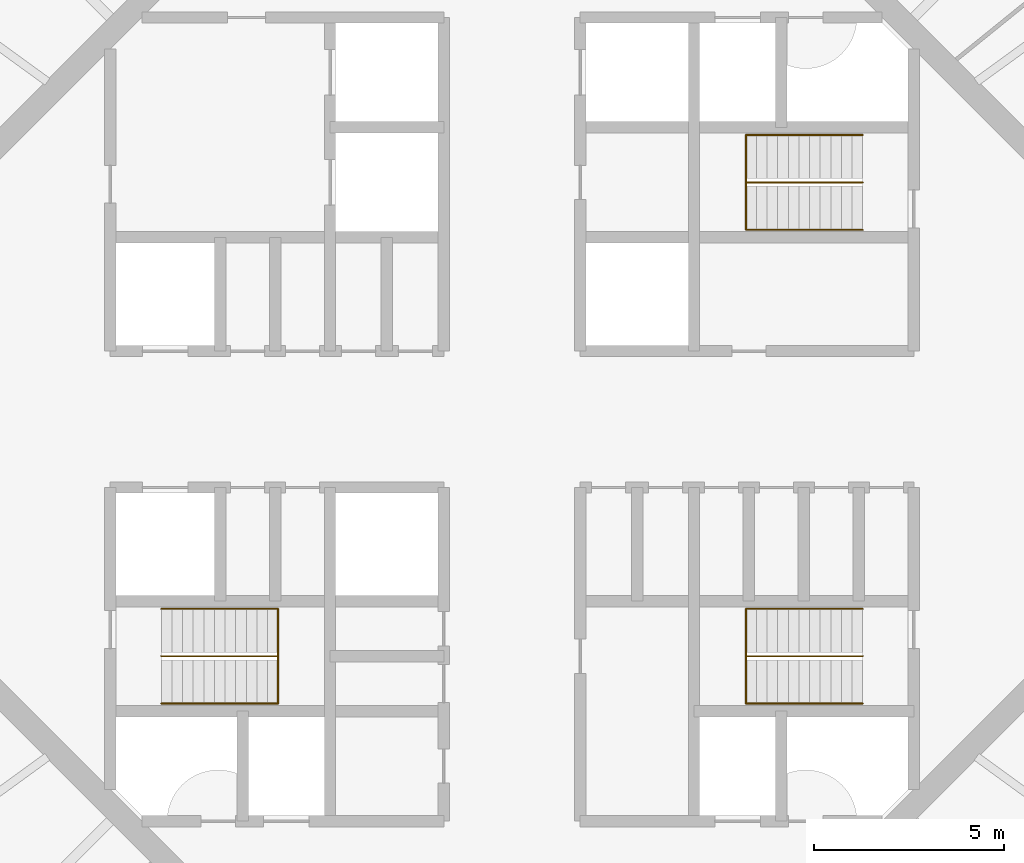
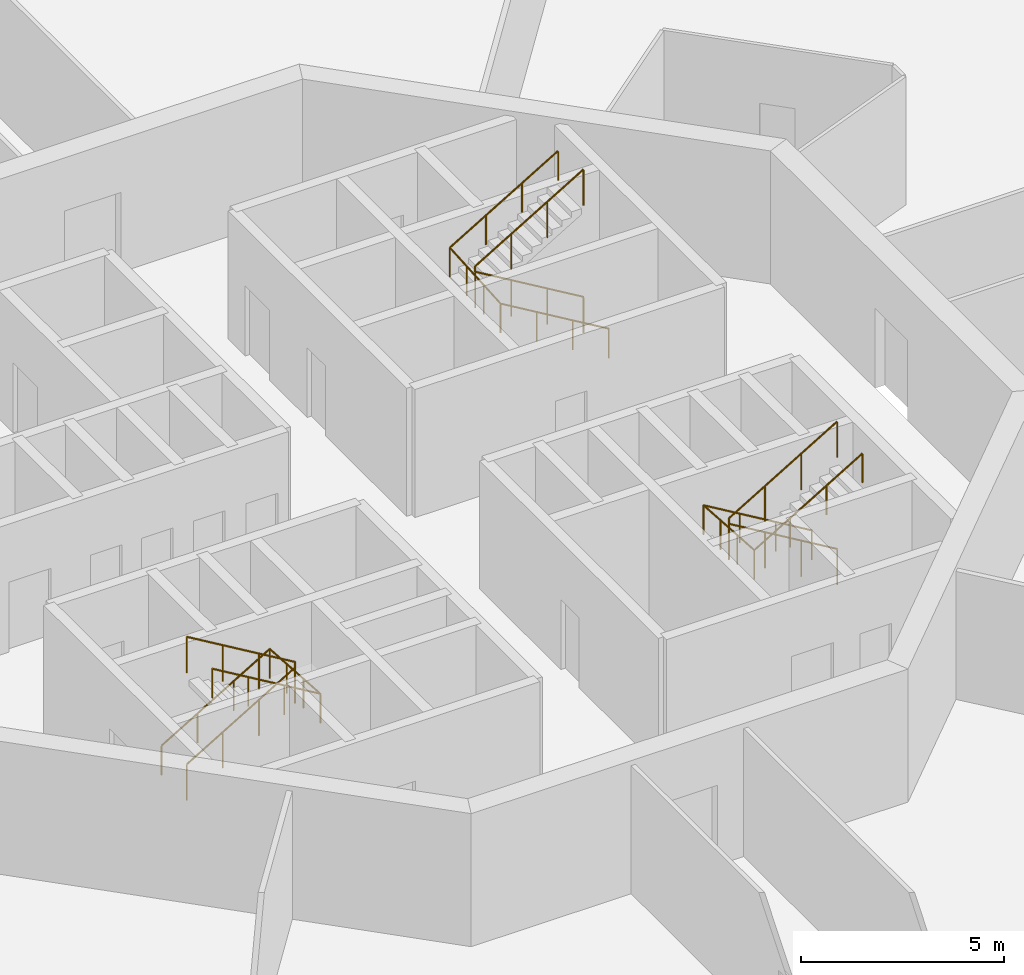
# One storey, part 13 of 13: 6 railings.
"""IFC4 building model written with IfcOpenShell, lengths in metres."""

from ifc_helpers import new_model, si_unit, direction, frame, origin, origin_2d, place, context, subcontext, project, spatial, circle, extrude, material, type_object, element, save


model = new_model("IFC4")

# Units and contexts
model_context = context("Model", 3, precision=1e-05, world=origin(), true_north=direction((0.0, 1.0)))
body_context = subcontext(model_context, "Body", "Model", "MODEL_VIEW")
ifc_project = project(units=[si_unit("LENGTHUNIT", "METRE"), si_unit("AREAUNIT", "SQUARE_METRE"), si_unit("VOLUMEUNIT", "CUBIC_METRE"), si_unit("PLANEANGLEUNIT", "RADIAN"), si_unit("MASSUNIT", "GRAM", prefix="KILO")], contexts=[model_context])

# Site, building, storey
site_placement = place(None, origin())
site = spatial("IfcSite", under=ifc_project, at=site_placement, CompositionType="ELEMENT")
building_placement = place(site_placement, origin())
building = spatial("IfcBuilding", under=site, at=building_placement, Name="Entoto Ring Tower", CompositionType="ELEMENT")
storey_placement = place(building_placement, frame((0.0, 0.0, 384.0)))
storey = spatial("IfcBuildingStorey", under=building, at=storey_placement, Name="L89", CompositionType="ELEMENT", Elevation=384.0)

# Railings
ifc_material_1 = material(Name="Steel S275", Category="steel")
railing_type_1 = type_object("IfcRailingType", Name="Stair guard 1100 mm steel", PredefinedType="GUARDRAIL", material=ifc_material_1)
railing_1_placement = place(storey_placement, frame((99.25, 86.25, 0.166748046875)))
element("IfcRailing", 1, at=railing_1_placement, inside=storey, type_object=railing_type_1, Name="Guard ST1", PredefinedType="GUARDRAIL", context=body_context, shape_type="SweptSolid", body=[
    extrude(circle(Radius=0.02392578125, at=origin_2d()), frame((0.0, 0.0, 1.076171875), z_axis=(-0.859308565015, 0.0, 0.511457515432), x_axis=(0.0, -1.0, 0.0)), (0.0, 0.0, 1.0), 3.58447265625),
    extrude(circle(Radius=0.02392578125, at=origin_2d()), frame((-3.080078125, 0.0, 2.9091796875), z_axis=(0.0, 0.0, 1.0), x_axis=(1.0, 0.0, 0.0)), (0.0, 0.0, 1.0), 0.166748046875),
    extrude(circle(Radius=0.02392578125, at=origin_2d()), frame((-3.080078125, 0.0, 3.076171875), z_axis=(0.859308565015, 0.0, 0.511457515432), x_axis=(0.0, 1.0, 0.0)), (0.0, 0.0, 1.0), 3.58447265625),
    extrude(circle(Radius=0.02099609375, at=origin_2d()), origin(), (0.0, 0.0, 1.0), 1.052001953125),
    extrude(circle(Radius=0.02099609375, at=origin_2d()), frame((-1.026611328125, 0.0, 0.611083984375)), (0.0, 0.0, 1.0), 1.052001953125),
    extrude(circle(Radius=0.02099609375, at=origin_2d()), frame((-2.053466796875, 0.0, 1.22216796875)), (0.0, 0.0, 1.0), 1.052001953125),
    extrude(circle(Radius=0.02099609375, at=origin_2d()), frame((-3.080078125, 0.0, 1.833251953125)), (0.0, 0.0, 1.0), 1.052001953125),
    extrude(circle(Radius=0.02099609375, at=origin_2d()), frame((-3.080078125, 0.0, 2.0)), (0.0, 0.0, 1.0), 1.052001953125),
    extrude(circle(Radius=0.02099609375, at=origin_2d()), frame((-2.053466796875, 0.0, 2.611083984375)), (0.0, 0.0, 1.0), 1.052001953125),
    extrude(circle(Radius=0.02099609375, at=origin_2d()), frame((-1.026611328125, 0.0, 3.22216796875)), (0.0, 0.0, 1.0), 1.052001953125),
    extrude(circle(Radius=0.02099609375, at=origin_2d()), frame((0.0, 0.0, 3.833251953125)), (0.0, 0.0, 1.0), 1.052001953125),
])
railing_2_placement = place(storey_placement, frame((80.75, 73.75, 0.166748046875)))
element("IfcRailing", 2, at=railing_2_placement, inside=storey, type_object=railing_type_1, Name="Guard ST2", PredefinedType="GUARDRAIL", context=body_context, shape_type="SweptSolid", body=[
    extrude(circle(Radius=0.02392578125, at=origin_2d()), frame((0.0, 0.0, 1.076171875), z_axis=(0.859308565015, 0.0, 0.511457515432), x_axis=(0.0, 1.0, 0.0)), (0.0, 0.0, 1.0), 3.58447265625),
    extrude(circle(Radius=0.02392578125, at=origin_2d()), frame((3.080078125, 0.0, 2.9091796875), z_axis=(0.0, 0.0, 1.0), x_axis=(1.0, 0.0, 0.0)), (0.0, 0.0, 1.0), 0.166748046875),
    extrude(circle(Radius=0.02392578125, at=origin_2d()), frame((3.080078125, 0.0, 3.076171875), z_axis=(-0.859308565015, 0.0, 0.511457515432), x_axis=(0.0, -1.0, 0.0)), (0.0, 0.0, 1.0), 3.58447265625),
    extrude(circle(Radius=0.02099609375, at=origin_2d()), origin(), (0.0, 0.0, 1.0), 1.052001953125),
    extrude(circle(Radius=0.02099609375, at=origin_2d()), frame((1.026611328125, 0.0, 0.611083984375)), (0.0, 0.0, 1.0), 1.052001953125),
    extrude(circle(Radius=0.02099609375, at=origin_2d()), frame((2.053466796875, 0.0, 1.22216796875)), (0.0, 0.0, 1.0), 1.052001953125),
    extrude(circle(Radius=0.02099609375, at=origin_2d()), frame((3.080078125, 0.0, 1.833251953125)), (0.0, 0.0, 1.0), 1.052001953125),
    extrude(circle(Radius=0.02099609375, at=origin_2d()), frame((3.080078125, 0.0, 2.0)), (0.0, 0.0, 1.0), 1.052001953125),
    extrude(circle(Radius=0.02099609375, at=origin_2d()), frame((2.053466796875, 0.0, 2.611083984375)), (0.0, 0.0, 1.0), 1.052001953125),
    extrude(circle(Radius=0.02099609375, at=origin_2d()), frame((1.026611328125, 0.0, 3.22216796875)), (0.0, 0.0, 1.0), 1.052001953125),
    extrude(circle(Radius=0.02099609375, at=origin_2d()), frame((0.0, 0.0, 3.833251953125)), (0.0, 0.0, 1.0), 1.052001953125),
])
railing_3_placement = place(storey_placement, frame((99.25, 73.75, 0.166748046875)))
element("IfcRailing", 3, at=railing_3_placement, inside=storey, type_object=railing_type_1, Name="Guard ST3", PredefinedType="GUARDRAIL", context=body_context, shape_type="SweptSolid", body=[
    extrude(circle(Radius=0.02392578125, at=origin_2d()), frame((0.0, 0.0, 1.076171875), z_axis=(-0.859308565015, 0.0, 0.511457515432), x_axis=(0.0, -1.0, 0.0)), (0.0, 0.0, 1.0), 3.58447265625),
    extrude(circle(Radius=0.02392578125, at=origin_2d()), frame((-3.080078125, 0.0, 2.9091796875), z_axis=(0.0, 0.0, 1.0), x_axis=(1.0, 0.0, 0.0)), (0.0, 0.0, 1.0), 0.166748046875),
    extrude(circle(Radius=0.02392578125, at=origin_2d()), frame((-3.080078125, 0.0, 3.076171875), z_axis=(0.859308565015, 0.0, 0.511457515432), x_axis=(0.0, 1.0, 0.0)), (0.0, 0.0, 1.0), 3.58447265625),
    extrude(circle(Radius=0.02099609375, at=origin_2d()), origin(), (0.0, 0.0, 1.0), 1.052001953125),
    extrude(circle(Radius=0.02099609375, at=origin_2d()), frame((-1.026611328125, 0.0, 0.611083984375)), (0.0, 0.0, 1.0), 1.052001953125),
    extrude(circle(Radius=0.02099609375, at=origin_2d()), frame((-2.053466796875, 0.0, 1.22216796875)), (0.0, 0.0, 1.0), 1.052001953125),
    extrude(circle(Radius=0.02099609375, at=origin_2d()), frame((-3.080078125, 0.0, 1.833251953125)), (0.0, 0.0, 1.0), 1.052001953125),
    extrude(circle(Radius=0.02099609375, at=origin_2d()), frame((-3.080078125, 0.0, 2.0)), (0.0, 0.0, 1.0), 1.052001953125),
    extrude(circle(Radius=0.02099609375, at=origin_2d()), frame((-2.053466796875, 0.0, 2.611083984375)), (0.0, 0.0, 1.0), 1.052001953125),
    extrude(circle(Radius=0.02099609375, at=origin_2d()), frame((-1.026611328125, 0.0, 3.22216796875)), (0.0, 0.0, 1.0), 1.052001953125),
    extrude(circle(Radius=0.02099609375, at=origin_2d()), frame((0.0, 0.0, 3.833251953125)), (0.0, 0.0, 1.0), 1.052001953125),
])
ifc_material_2 = material(Name="Steel S275", Category="steel")
railing_type_2 = type_object("IfcRailingType", Name="Stair handrail 900 mm steel", PredefinedType="HANDRAIL", material=ifc_material_2)
railing_4_placement = place(storey_placement, frame((99.25, 85.0, 0.166748046875)))
element("IfcRailing", 4, at=railing_4_placement, inside=storey, type_object=railing_type_2, Name="Handrail ST1", PredefinedType="HANDRAIL", context=body_context, shape_type="SweptSolid", body=[
    extrude(circle(Radius=0.02392578125, at=origin_2d()), frame((0.0, 0.0, 0.8759765625), z_axis=(-0.859308565015, 0.0, 0.511457515432), x_axis=(0.0, -1.0, 0.0)), (0.0, 0.0, 1.0), 3.58447265625),
    extrude(circle(Radius=0.02392578125, at=origin_2d()), frame((-3.080078125, 0.0, 2.708984375), z_axis=(0.0, 0.997783001586, 0.066551346688), x_axis=(-1.0, 0.0, 0.0)), (0.0, 0.0, 1.0), 2.505615234375),
    extrude(circle(Radius=0.02392578125, at=origin_2d()), frame((-3.080078125, 2.5, 2.8759765625), z_axis=(0.859308565015, 0.0, 0.511457515432), x_axis=(0.0, 1.0, 0.0)), (0.0, 0.0, 1.0), 3.58447265625),
    extrude(circle(Radius=0.02099609375, at=origin_2d()), origin(), (0.0, 0.0, 1.0), 0.851806640625),
    extrude(circle(Radius=0.02099609375, at=origin_2d()), frame((-1.026611328125, 0.0, 0.611083984375)), (0.0, 0.0, 1.0), 0.851806640625),
    extrude(circle(Radius=0.02099609375, at=origin_2d()), frame((-2.053466796875, 0.0, 1.22216796875)), (0.0, 0.0, 1.0), 0.851806640625),
    extrude(circle(Radius=0.02099609375, at=origin_2d()), frame((-3.080078125, 0.0, 1.833251953125)), (0.0, 0.0, 1.0), 0.851806640625),
    extrude(circle(Radius=0.02099609375, at=origin_2d()), frame((-3.080078125, 0.833251953125, 1.888916015625)), (0.0, 0.0, 1.0), 0.851806640625),
    extrude(circle(Radius=0.02099609375, at=origin_2d()), frame((-3.080078125, 1.666748046875, 1.9443359375)), (0.0, 0.0, 1.0), 0.851806640625),
    extrude(circle(Radius=0.02099609375, at=origin_2d()), frame((-3.080078125, 2.5, 2.0)), (0.0, 0.0, 1.0), 0.851806640625),
    extrude(circle(Radius=0.02099609375, at=origin_2d()), frame((-2.053466796875, 2.5, 2.611083984375)), (0.0, 0.0, 1.0), 0.851806640625),
    extrude(circle(Radius=0.02099609375, at=origin_2d()), frame((-1.026611328125, 2.5, 3.22216796875)), (0.0, 0.0, 1.0), 0.851806640625),
    extrude(circle(Radius=0.02099609375, at=origin_2d()), frame((0.0, 2.5, 3.833251953125)), (0.0, 0.0, 1.0), 0.851806640625),
])
railing_5_placement = place(storey_placement, frame((80.75, 75.0, 0.166748046875)))
element("IfcRailing", 5, at=railing_5_placement, inside=storey, type_object=railing_type_2, Name="Handrail ST2", PredefinedType="HANDRAIL", context=body_context, shape_type="SweptSolid", body=[
    extrude(circle(Radius=0.02392578125, at=origin_2d()), frame((0.0, 0.0, 0.8759765625), z_axis=(0.859308565015, 0.0, 0.511457515432), x_axis=(0.0, 1.0, 0.0)), (0.0, 0.0, 1.0), 3.58447265625),
    extrude(circle(Radius=0.02392578125, at=origin_2d()), frame((3.080078125, 0.0, 2.708984375), z_axis=(0.0, -0.997783001586, 0.066551346688), x_axis=(1.0, 0.0, 0.0)), (0.0, 0.0, 1.0), 2.505615234375),
    extrude(circle(Radius=0.02392578125, at=origin_2d()), frame((3.080078125, -2.5, 2.8759765625), z_axis=(-0.859308565015, 0.0, 0.511457515432), x_axis=(0.0, -1.0, 0.0)), (0.0, 0.0, 1.0), 3.58447265625),
    extrude(circle(Radius=0.02099609375, at=origin_2d()), origin(), (0.0, 0.0, 1.0), 0.851806640625),
    extrude(circle(Radius=0.02099609375, at=origin_2d()), frame((1.026611328125, 0.0, 0.611083984375)), (0.0, 0.0, 1.0), 0.851806640625),
    extrude(circle(Radius=0.02099609375, at=origin_2d()), frame((2.053466796875, 0.0, 1.22216796875)), (0.0, 0.0, 1.0), 0.851806640625),
    extrude(circle(Radius=0.02099609375, at=origin_2d()), frame((3.080078125, 0.0, 1.833251953125)), (0.0, 0.0, 1.0), 0.851806640625),
    extrude(circle(Radius=0.02099609375, at=origin_2d()), frame((3.080078125, -0.833251953125, 1.888916015625)), (0.0, 0.0, 1.0), 0.851806640625),
    extrude(circle(Radius=0.02099609375, at=origin_2d()), frame((3.080078125, -1.666748046875, 1.9443359375)), (0.0, 0.0, 1.0), 0.851806640625),
    extrude(circle(Radius=0.02099609375, at=origin_2d()), frame((3.080078125, -2.5, 2.0)), (0.0, 0.0, 1.0), 0.851806640625),
    extrude(circle(Radius=0.02099609375, at=origin_2d()), frame((2.053466796875, -2.5, 2.611083984375)), (0.0, 0.0, 1.0), 0.851806640625),
    extrude(circle(Radius=0.02099609375, at=origin_2d()), frame((1.026611328125, -2.5, 3.22216796875)), (0.0, 0.0, 1.0), 0.851806640625),
    extrude(circle(Radius=0.02099609375, at=origin_2d()), frame((0.0, -2.5, 3.833251953125)), (0.0, 0.0, 1.0), 0.851806640625),
])
railing_6_placement = place(storey_placement, frame((99.25, 75.0, 0.166748046875)))
element("IfcRailing", 6, at=railing_6_placement, inside=storey, type_object=railing_type_2, Name="Handrail ST3", PredefinedType="HANDRAIL", context=body_context, shape_type="SweptSolid", body=[
    extrude(circle(Radius=0.02392578125, at=origin_2d()), frame((0.0, 0.0, 0.8759765625), z_axis=(-0.859308565015, 0.0, 0.511457515432), x_axis=(0.0, -1.0, 0.0)), (0.0, 0.0, 1.0), 3.58447265625),
    extrude(circle(Radius=0.02392578125, at=origin_2d()), frame((-3.080078125, 0.0, 2.708984375), z_axis=(0.0, -0.997783001586, 0.066551346688), x_axis=(1.0, 0.0, 0.0)), (0.0, 0.0, 1.0), 2.505615234375),
    extrude(circle(Radius=0.02392578125, at=origin_2d()), frame((-3.080078125, -2.5, 2.8759765625), z_axis=(0.859308565015, 0.0, 0.511457515432), x_axis=(0.0, 1.0, 0.0)), (0.0, 0.0, 1.0), 3.58447265625),
    extrude(circle(Radius=0.02099609375, at=origin_2d()), origin(), (0.0, 0.0, 1.0), 0.851806640625),
    extrude(circle(Radius=0.02099609375, at=origin_2d()), frame((-1.026611328125, 0.0, 0.611083984375)), (0.0, 0.0, 1.0), 0.851806640625),
    extrude(circle(Radius=0.02099609375, at=origin_2d()), frame((-2.053466796875, 0.0, 1.22216796875)), (0.0, 0.0, 1.0), 0.851806640625),
    extrude(circle(Radius=0.02099609375, at=origin_2d()), frame((-3.080078125, 0.0, 1.833251953125)), (0.0, 0.0, 1.0), 0.851806640625),
    extrude(circle(Radius=0.02099609375, at=origin_2d()), frame((-3.080078125, -0.833251953125, 1.888916015625)), (0.0, 0.0, 1.0), 0.851806640625),
    extrude(circle(Radius=0.02099609375, at=origin_2d()), frame((-3.080078125, -1.666748046875, 1.9443359375)), (0.0, 0.0, 1.0), 0.851806640625),
    extrude(circle(Radius=0.02099609375, at=origin_2d()), frame((-3.080078125, -2.5, 2.0)), (0.0, 0.0, 1.0), 0.851806640625),
    extrude(circle(Radius=0.02099609375, at=origin_2d()), frame((-2.053466796875, -2.5, 2.611083984375)), (0.0, 0.0, 1.0), 0.851806640625),
    extrude(circle(Radius=0.02099609375, at=origin_2d()), frame((-1.026611328125, -2.5, 3.22216796875)), (0.0, 0.0, 1.0), 0.851806640625),
    extrude(circle(Radius=0.02099609375, at=origin_2d()), frame((0.0, -2.5, 3.833251953125)), (0.0, 0.0, 1.0), 0.851806640625),
])

save(model, "model.ifc")
